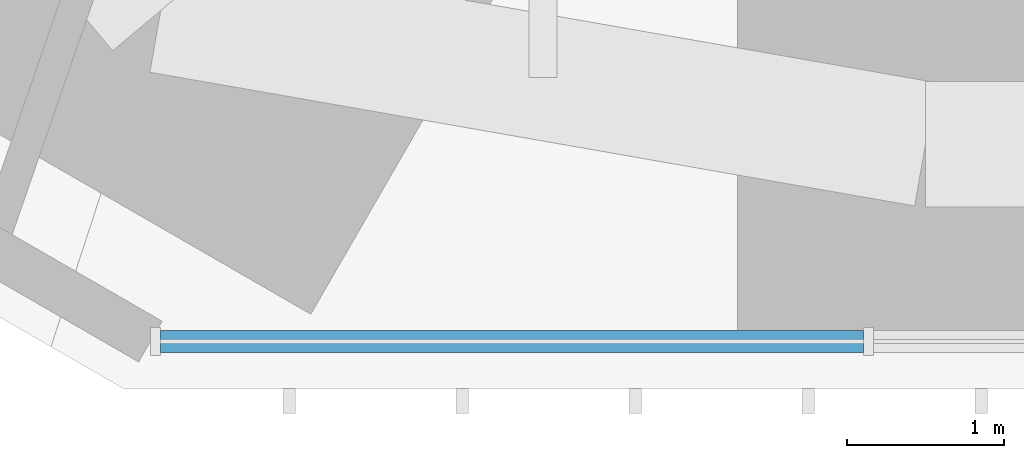
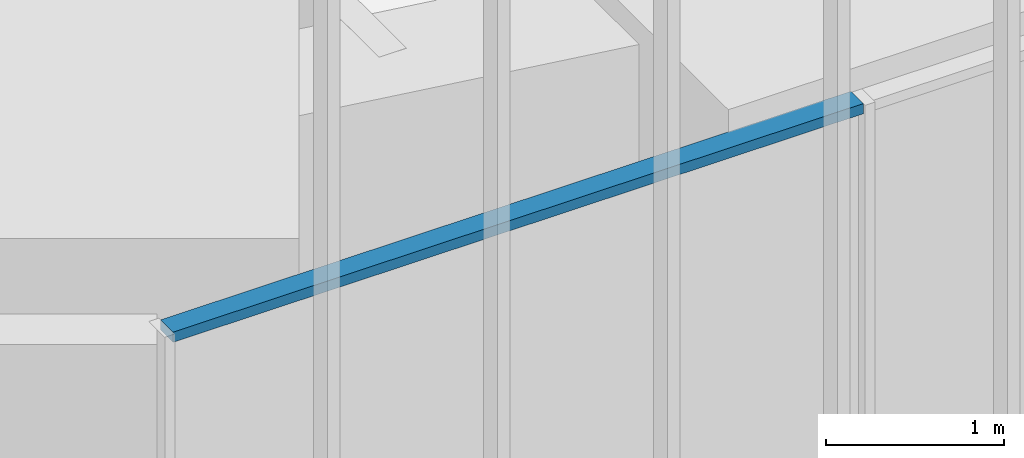
# One storey, part 21 of 256: 1 member, 1 element without a shape of its own.
"""IFC4 building model written with IfcOpenShell, lengths in metres."""

from ifc_helpers import new_model, si_unit, direction, frame, origin, origin_2d, place, context, subcontext, project, spatial, rectangle, extrude, material, material_profile, profile_set, type_object, element, aggregate, save


model = new_model("IFC4")

# Units and contexts
model_context = context("Model", 3, precision=1e-05, world=origin(), true_north=direction((0.0, 1.0)))
body_context = subcontext(model_context, "Body", "Model", "MODEL_VIEW")
ifc_project = project(units=[si_unit("LENGTHUNIT", "METRE"), si_unit("AREAUNIT", "SQUARE_METRE"), si_unit("VOLUMEUNIT", "CUBIC_METRE"), si_unit("PLANEANGLEUNIT", "RADIAN"), si_unit("MASSUNIT", "GRAM", prefix="KILO")], contexts=[model_context])

# Site, building, storey
site_placement = place(None, origin())
site = spatial("IfcSite", under=ifc_project, at=site_placement, CompositionType="ELEMENT")
building_placement = place(site_placement, origin())
building = spatial("IfcBuilding", under=site, at=building_placement, Name="Sandreach Pilgrim Tower", CompositionType="ELEMENT")
storey_placement = place(building_placement, frame((0.0, 0.0, 23.0)))
storey = spatial("IfcBuildingStorey", under=building, at=storey_placement, Name="L04", CompositionType="ELEMENT", Elevation=23.0)

# Curtain wall, member
ifc_material_1 = material(Name="Aluminium framed curtain wall", Category="aluminium")
curtain_wall_type = type_object("IfcCurtainWallType", Name="Hostel tower curtain wall", PredefinedType="NOTDEFINED", material=ifc_material_1)
curtain_wall_placement = place(storey_placement, origin())
curtain_wall = element("IfcCurtainWall", 1, at=curtain_wall_placement, inside=storey, type_object=curtain_wall_type, Name="CW-1 L04 S", PredefinedType="NOTDEFINED")
ifc_material_2 = material(Name="Aluminium extrusion", Category="aluminium")
ifc_material_profile = material_profile(ifc_material_2, rectangle(XDim=0.139892578125, YDim=0.070068359375, at=origin_2d()), Name="CW-1T 140X70")
ifc_profile_set = profile_set([ifc_material_profile], Name="Aluminium extrusion")
member_type = type_object("IfcMemberType", Name="CW-1 transom", PredefinedType="USERDEFINED", material=ifc_profile_set)
member_placement = place(storey_placement, frame((-4.61865234375, -30.010986328125, 3.60498046875), z_axis=(-1.0, 0.0, 0.0), x_axis=(0.0, -1.0, 0.0)))
member = element("IfcMember", 2, at=member_placement, type_object=member_type, Name="CW-1 head transom 4", ObjectType="TRANSOM", PredefinedType="USERDEFINED", context=body_context, shape_type="SweptSolid", body=[
    extrude(rectangle(XDim=0.139892578125, YDim=0.070068359375, at=origin_2d()), origin(), (0.0, 0.0, 1.0), 4.488525390625),
])
aggregate(curtain_wall, [member])

save(model, "model.ifc")
